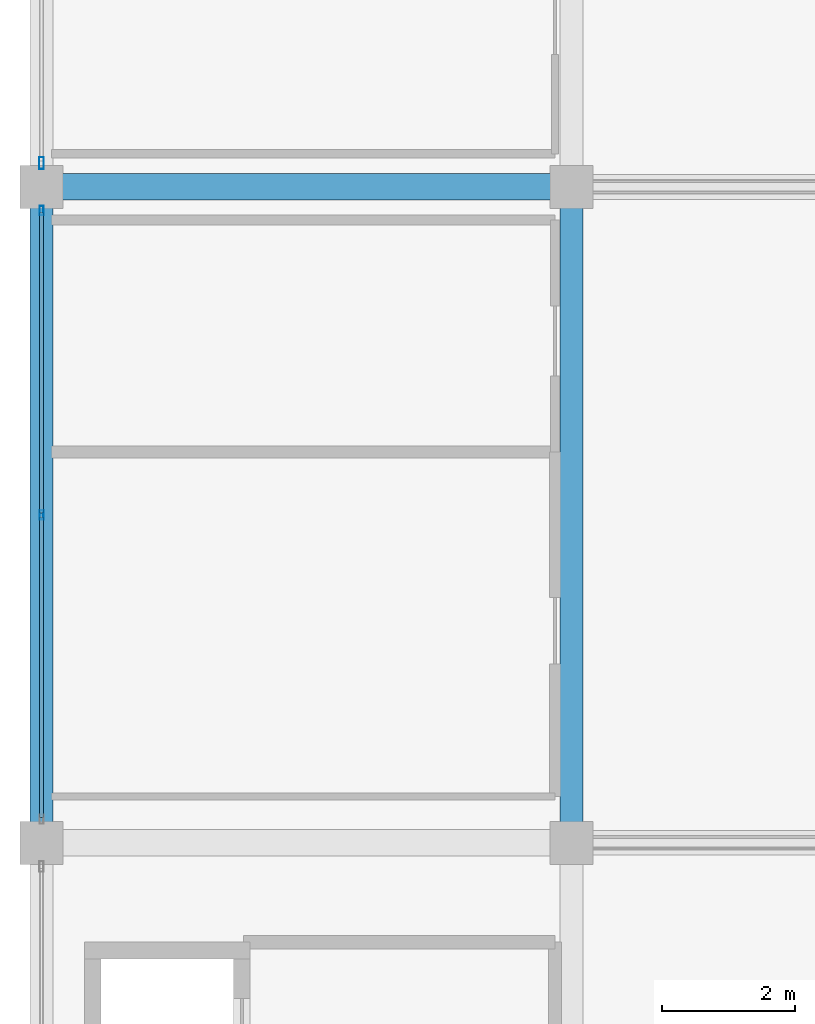
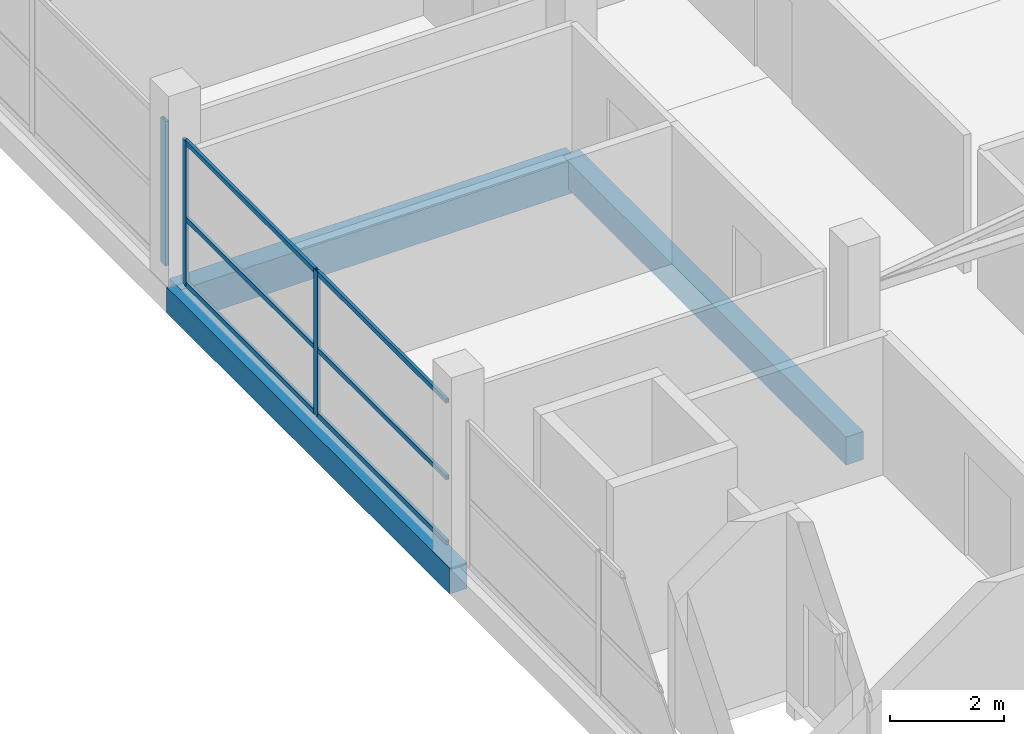
# One storey, part 22 of 70: 9 members, 3 beams, 2 elements without a shape of their own.
"""IFC4 building model written with IfcOpenShell, lengths in metres."""

from ifc_helpers import new_model, si_unit, direction, frame, origin, origin_2d, place, context, subcontext, project, spatial, rectangle, hollow_rectangle, extrude, material, layer, layer_set, material_profile, profile_set, type_object, element, aggregate, save


model = new_model("IFC4")

# Units and contexts
model_context = context("Model", 3, precision=1e-05, world=origin(), true_north=direction((0.0, 1.0)))
body_context = subcontext(model_context, "Body", "Model", "MODEL_VIEW")
ifc_project = project(units=[si_unit("LENGTHUNIT", "METRE"), si_unit("AREAUNIT", "SQUARE_METRE"), si_unit("VOLUMEUNIT", "CUBIC_METRE"), si_unit("PLANEANGLEUNIT", "RADIAN"), si_unit("MASSUNIT", "GRAM", prefix="KILO")], contexts=[model_context])

# Site, building, storey
site_placement = place(None, origin())
site = spatial("IfcSite", under=ifc_project, at=site_placement, CompositionType="ELEMENT")
building_placement = place(site_placement, origin())
building = spatial("IfcBuilding", under=site, at=building_placement, Name="Sillaruma Civic Art Gallery", CompositionType="ELEMENT")
storey_placement = place(building_placement, frame((0.0, 0.0, 66.300048828125)))
storey = spatial("IfcBuildingStorey", under=building, at=storey_placement, Name="L13", CompositionType="ELEMENT", Elevation=66.300048828125)

# Beams
ifc_material_1 = material(Name="Concrete H35 (35 MPa)", Category="concrete")
ifc_material_profile_1 = material_profile(ifc_material_1, rectangle(XDim=0.35009765625, YDim=0.60009765625, at=origin_2d()), Name="RCB350x600")
ifc_profile_set_1 = profile_set([ifc_material_profile_1], Name="Concrete H35 (35 MPa)")
beam_type_1 = type_object("IfcBeamType", Name="BM-BEAM-RCB350x600", PredefinedType="BEAM", material=ifc_profile_set_1)
beam_1_placement = place(storey_placement, frame((70.0, 49.5, -0.530029296875), z_axis=(0.0, 1.0, 0.0), x_axis=(-1.0, 0.0, 0.0)))
element("IfcBeam", 1, at=beam_1_placement, inside=storey, type_object=beam_type_1, Name="Beam BM-06 (L12:G:6-7)", PredefinedType="BEAM", context=body_context, shape_type="SweptSolid", body=[
    extrude(rectangle(XDim=0.35009765625, YDim=0.60009765625, at=origin_2d()), origin(), (0.0, 0.0, 1.0), 9.89990234375),
])
ifc_material_profile_2 = material_profile(ifc_material_1, rectangle(XDim=0.39990234375, YDim=0.699951171875, at=origin_2d()), Name="RCB400x700")
ifc_profile_set_2 = profile_set([ifc_material_profile_2], Name="Concrete H35 (35 MPa)")
beam_type_2 = type_object("IfcBeamType", Name="BM-BEAM-RCB400x700", PredefinedType="BEAM", material=ifc_profile_set_2)
beam_2_placement = place(storey_placement, frame((62.0, 59.39990234375, -0.580078125), z_axis=(1.0, 0.0, 0.0), x_axis=(0.0, 1.0, 0.0)))
element("IfcBeam", 2, at=beam_2_placement, inside=storey, type_object=beam_type_2, Name="Beam BM-04 (L12:7:F-G)", PredefinedType="BEAM", context=body_context, shape_type="SweptSolid", body=[
    extrude(rectangle(XDim=0.39990234375, YDim=0.699951171875, at=origin_2d()), origin(), (0.0, 0.0, 1.0), 8.0),
])
ifc_material_profile_3 = material_profile(ifc_material_1, rectangle(XDim=0.35009765625, YDim=0.550048828125, at=origin_2d()), Name="RCB350x550")
ifc_profile_set_3 = profile_set([ifc_material_profile_3], Name="Concrete H35 (35 MPa)")
beam_type_3 = type_object("IfcBeamType", Name="BM-SPANDREL-RCB350x550", PredefinedType="SPANDREL", material=ifc_profile_set_3)
beam_3_placement = place(storey_placement, frame((62.0, 49.5, -0.505126953125), z_axis=(0.0, 1.0, 0.0), x_axis=(-1.0, 0.0, 0.0)))
element("IfcBeam", 3, at=beam_3_placement, inside=storey, type_object=beam_type_3, Name="Beam BS-04 (L12:F:6-7)", PredefinedType="SPANDREL", context=body_context, shape_type="SweptSolid", body=[
    extrude(rectangle(XDim=0.35009765625, YDim=0.550048828125, at=origin_2d()), origin(), (0.0, 0.0, 1.0), 9.89990234375),
])

# Curtain wall, members
ifc_material_2 = material(Name="Thermally Broken Extruded Aluminium 6063-T6", Category="aluminium")
ifc_layer_1 = layer(ifc_material_2, 0.139892578125, Name="Thermally Broken Extruded Aluminium 6063-T6")
ifc_layer_set_1 = layer_set([ifc_layer_1], Name="Thermally Broken Extruded Aluminium 6063-T6")
curtain_wall_type_1 = type_object("IfcCurtainWallType", Name="CW-UNI-93", PredefinedType="NOTDEFINED", material=ifc_layer_set_1)
curtain_wall_1_placement = place(storey_placement, origin())
curtain_wall_1 = element("IfcCurtainWall", 4, at=curtain_wall_1_placement, inside=storey, type_object=curtain_wall_type_1, Name="Unitised Curtain Wall CW-93 (CW-L13-WBW-4)", PredefinedType="NOTDEFINED")
ifc_material_profile_4 = material_profile(ifc_material_2, hollow_rectangle(XDim=0.06005859375, YDim=0.139892578125, WallThickness=0.00341796875, at=origin_2d()), Name="CWM60x140")
ifc_profile_set_4 = profile_set([ifc_material_profile_4], Name="Thermally Broken Extruded Aluminium 6063-T6")
member_type_1 = type_object("IfcMemberType", Name="MEM-MUL-CWM60x140", PredefinedType="MULLION", material=ifc_profile_set_4)
member_1_placement = place(storey_placement, frame((62.0, 54.449951171875, 0.0), z_axis=(0.0, 0.0, 1.0), x_axis=(-1.0, 0.0, 0.0)))
member_1 = element("IfcMember", 5, at=member_1_placement, type_object=member_type_1, Name="CW-93 mullion 2", PredefinedType="MULLION", context=body_context, shape_type="SweptSolid", body=[
    extrude(hollow_rectangle(XDim=0.06005859375, YDim=0.139892578125, WallThickness=0.00341796875, at=origin_2d()), origin(), (0.0, 0.0, 1.0), 3.079833984375),
])
member_2_placement = place(storey_placement, frame((62.0, 59.044921875, 0.0), z_axis=(0.0, 0.0, 1.0), x_axis=(-1.0, 0.0, 0.0)))
member_2 = element("IfcMember", 6, at=member_2_placement, type_object=member_type_1, Name="CW-93 mullion 3", PredefinedType="MULLION", context=body_context, shape_type="SweptSolid", body=[
    extrude(hollow_rectangle(XDim=0.06005859375, YDim=0.139892578125, WallThickness=0.00341796875, at=origin_2d()), origin(), (0.0, 0.0, 1.0), 3.079833984375),
])

# Curtain wall, member
ifc_layer_2 = layer(ifc_material_2, 0.179931640625, Name="Thermally Broken Extruded Aluminium 6063-T6")
ifc_layer_set_2 = layer_set([ifc_layer_2], Name="Thermally Broken Extruded Aluminium 6063-T6")
curtain_wall_type_2 = type_object("IfcCurtainWallType", Name="CW-UNI-92", PredefinedType="NOTDEFINED", material=ifc_layer_set_2)
curtain_wall_2_placement = place(storey_placement, origin())
curtain_wall_2 = element("IfcCurtainWall", 7, at=curtain_wall_2_placement, inside=storey, type_object=curtain_wall_type_2, Name="Unitised Curtain Wall CW-92 (CW-L13-WBW-5)", PredefinedType="NOTDEFINED")
ifc_material_profile_5 = material_profile(ifc_material_2, hollow_rectangle(XDim=0.070068359375, YDim=0.179931640625, WallThickness=0.00390625, at=origin_2d()), Name="CWM70x180")
ifc_profile_set_5 = profile_set([ifc_material_profile_5], Name="Thermally Broken Extruded Aluminium 6063-T6")
member_type_2 = type_object("IfcMemberType", Name="MEM-MUL-CWM70x180", PredefinedType="MULLION", material=ifc_profile_set_5)
member_3_placement = place(storey_placement, frame((62.0, 59.760009765625, 0.0), z_axis=(0.0, 0.0, 1.0), x_axis=(-1.0, 0.0, 0.0)))
member_3 = element("IfcMember", 8, at=member_3_placement, type_object=member_type_2, Name="CW-92 mullion 1", PredefinedType="MULLION", context=body_context, shape_type="SweptSolid", body=[
    extrude(hollow_rectangle(XDim=0.070068359375, YDim=0.179931640625, WallThickness=0.00390625, at=origin_2d()), origin(), (0.0, 0.0, 1.0), 3.079833984375),
])
aggregate(curtain_wall_2, [member_3])

# Member
ifc_material_profile_6 = material_profile(ifc_material_2, hollow_rectangle(XDim=0.06005859375, YDim=0.10009765625, WallThickness=0.003173828125, at=origin_2d()), Name="CWT60x100")
ifc_profile_set_6 = profile_set([ifc_material_profile_6], Name="Thermally Broken Extruded Aluminium 6063-T6")
member_type_3 = type_object("IfcMemberType", Name="MEM-TRN-CWT60x100", PredefinedType="USERDEFINED", material=ifc_profile_set_6)
member_4_placement = place(storey_placement, frame((62.0, 49.885009765625, 0.030029296875), z_axis=(0.0, 1.0, 0.0), x_axis=(-1.0, 0.0, 0.0)))
member_4 = element("IfcMember", 9, at=member_4_placement, type_object=member_type_3, Name="CW-93 transom 1.1", ObjectType="TRANSOM", PredefinedType="USERDEFINED", context=body_context, shape_type="SweptSolid", body=[
    extrude(hollow_rectangle(XDim=0.06005859375, YDim=0.10009765625, WallThickness=0.003173828125, at=origin_2d()), origin(), (0.0, 0.0, 1.0), 4.534912109375),
])

member_5_placement = place(storey_placement, frame((62.0, 49.885009765625, 1.416748046875), z_axis=(0.0, 1.0, 0.0), x_axis=(-1.0, 0.0, 0.0)))
member_5 = element("IfcMember", 10, at=member_5_placement, type_object=member_type_3, Name="CW-93 transom 1.2", ObjectType="TRANSOM", PredefinedType="USERDEFINED", context=body_context, shape_type="SweptSolid", body=[
    extrude(hollow_rectangle(XDim=0.06005859375, YDim=0.10009765625, WallThickness=0.003173828125, at=origin_2d()), origin(), (0.0, 0.0, 1.0), 4.534912109375),
])

member_6_placement = place(storey_placement, frame((62.0, 49.885009765625, 3.050048828125), z_axis=(0.0, 1.0, 0.0), x_axis=(-1.0, 0.0, 0.0)))
member_6 = element("IfcMember", 11, at=member_6_placement, type_object=member_type_3, Name="CW-93 transom 1.3", ObjectType="TRANSOM", PredefinedType="USERDEFINED", context=body_context, shape_type="SweptSolid", body=[
    extrude(hollow_rectangle(XDim=0.06005859375, YDim=0.10009765625, WallThickness=0.003173828125, at=origin_2d()), origin(), (0.0, 0.0, 1.0), 4.534912109375),
])

member_7_placement = place(storey_placement, frame((62.0, 54.47998046875, 0.030029296875), z_axis=(0.0, 1.0, 0.0), x_axis=(-1.0, 0.0, 0.0)))
member_7 = element("IfcMember", 12, at=member_7_placement, type_object=member_type_3, Name="CW-93 transom 2.1", ObjectType="TRANSOM", PredefinedType="USERDEFINED", context=body_context, shape_type="SweptSolid", body=[
    extrude(hollow_rectangle(XDim=0.06005859375, YDim=0.10009765625, WallThickness=0.003173828125, at=origin_2d()), origin(), (0.0, 0.0, 1.0), 4.534912109375),
])

member_8_placement = place(storey_placement, frame((62.0, 54.47998046875, 1.416748046875), z_axis=(0.0, 1.0, 0.0), x_axis=(-1.0, 0.0, 0.0)))
member_8 = element("IfcMember", 13, at=member_8_placement, type_object=member_type_3, Name="CW-93 transom 2.2", ObjectType="TRANSOM", PredefinedType="USERDEFINED", context=body_context, shape_type="SweptSolid", body=[
    extrude(hollow_rectangle(XDim=0.06005859375, YDim=0.10009765625, WallThickness=0.003173828125, at=origin_2d()), origin(), (0.0, 0.0, 1.0), 4.534912109375),
])

member_9_placement = place(storey_placement, frame((62.0, 54.47998046875, 3.050048828125), z_axis=(0.0, 1.0, 0.0), x_axis=(-1.0, 0.0, 0.0)))
member_9 = element("IfcMember", 14, at=member_9_placement, type_object=member_type_3, Name="CW-93 transom 2.3", ObjectType="TRANSOM", PredefinedType="USERDEFINED", context=body_context, shape_type="SweptSolid", body=[
    extrude(hollow_rectangle(XDim=0.06005859375, YDim=0.10009765625, WallThickness=0.003173828125, at=origin_2d()), origin(), (0.0, 0.0, 1.0), 4.534912109375),
])

aggregate(curtain_wall_1, [member_1, member_2, member_4, member_5, member_6, member_7, member_8, member_9])

save(model, "model.ifc")
